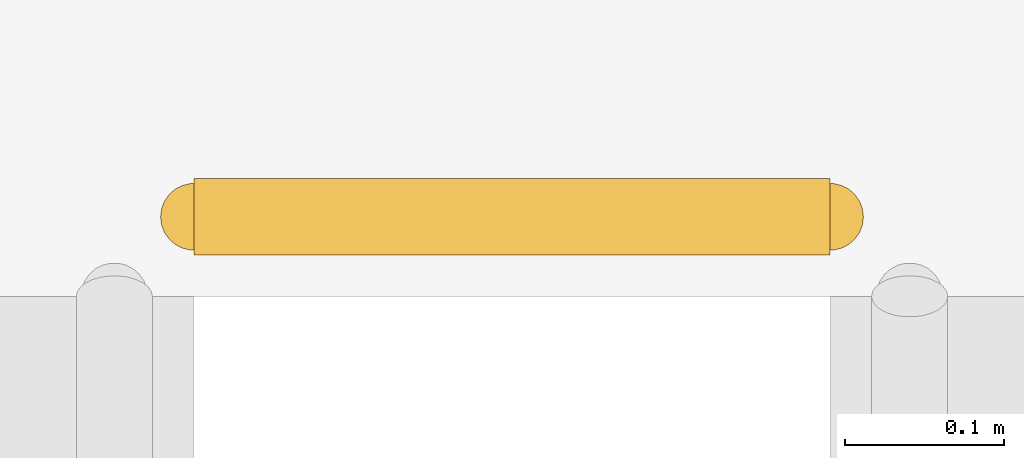
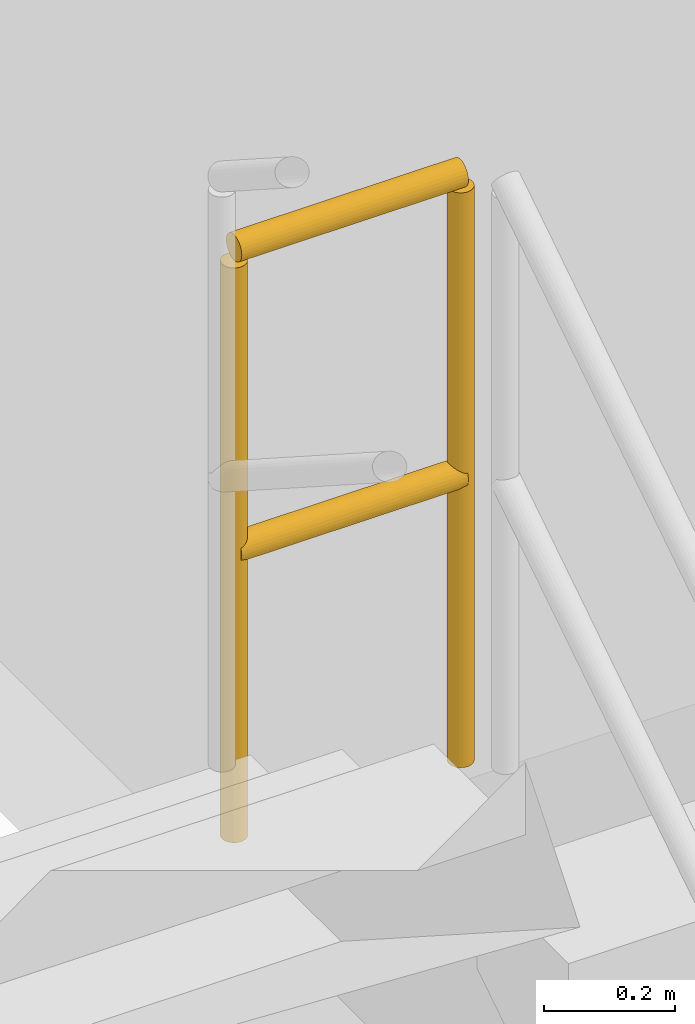
# One storey, part 106 of 111: 1 railing.
"""IFC4 building model written with IfcOpenShell, lengths in metres."""

from ifc_helpers import new_model, si_unit, direction, frame, origin, origin_2d, place, context, subcontext, project, spatial, circle, extrude, material, type_object, element, save


model = new_model("IFC4")

# Units and contexts
model_context = context("Model", 3, precision=1e-05, world=origin(), true_north=direction((0.0, 1.0)))
body_context = subcontext(model_context, "Body", "Model", "MODEL_VIEW")
ifc_project = project(units=[si_unit("LENGTHUNIT", "METRE"), si_unit("AREAUNIT", "SQUARE_METRE"), si_unit("VOLUMEUNIT", "CUBIC_METRE"), si_unit("PLANEANGLEUNIT", "RADIAN"), si_unit("MASSUNIT", "GRAM", prefix="KILO"), si_unit("THERMODYNAMICTEMPERATUREUNIT", "KELVIN"), si_unit("POWERUNIT", "WATT")], contexts=[model_context])

# Site, building, storey
site_placement = place(None, origin())
site = spatial("IfcSite", under=ifc_project, at=site_placement, CompositionType="ELEMENT")
building_placement = place(site_placement, origin())
building = spatial("IfcBuilding", under=site, at=building_placement, Name="Tembeka Court Mobility Hub", CompositionType="ELEMENT")
storey_placement = place(building_placement, origin())
storey = spatial("IfcBuildingStorey", under=building, at=storey_placement, Name="L00", CompositionType="ELEMENT", Elevation=0.0)

# Railing
ifc_material = material(Name="Painted galvanised steel balustrade", Category="steel")
railing_type = type_object("IfcRailingType", Name="RL-GR01", PredefinedType="GUARDRAIL", material=ifc_material)
railing_placement = place(storey_placement, frame((2.14990234375, 45.320068359375, 2.699951171875)))
element("IfcRailing", 1, at=railing_placement, inside=storey, type_object=railing_type, Name="L00 ST01 stair guard 2-1", PredefinedType="GUARDRAIL", context=body_context, shape_type="SweptSolid", body=[
    extrude(circle(Radius=0.02392578125, at=origin_2d()), frame((0.0, 0.0, 1.09619140625), z_axis=(-1.0, 0.0, 0.0), x_axis=(0.0, -1.0, 0.0)), (0.0, 0.0, 1.0), 0.39990234375),
    extrude(circle(Radius=0.02392578125, at=origin_2d()), frame((0.0, 0.0, 0.5361328125), z_axis=(-1.0, 0.0, 0.0), x_axis=(0.0, -1.0, 0.0)), (0.0, 0.0, 1.0), 0.39990234375),
    extrude(circle(Radius=0.02099609375, at=origin_2d()), origin(), (0.0, 0.0, 1.0), 1.072021484375),
    extrude(circle(Radius=0.02099609375, at=origin_2d()), frame((-0.39990234375, 0.0, 0.0)), (0.0, 0.0, 1.0), 1.072021484375),
])

save(model, "model.ifc")
